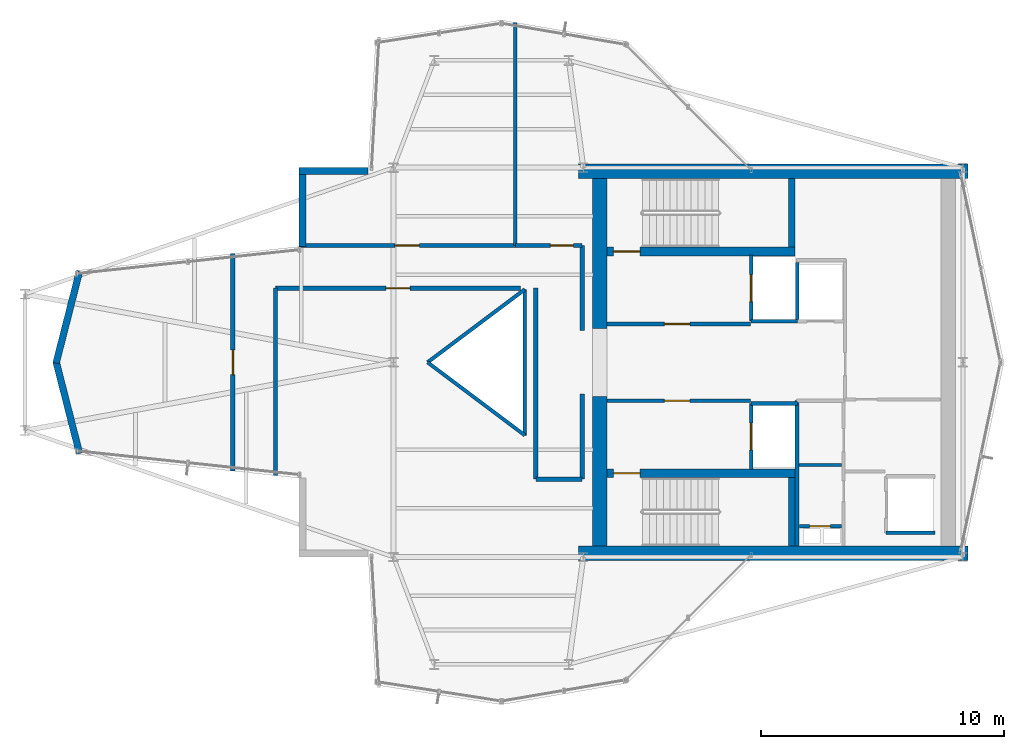
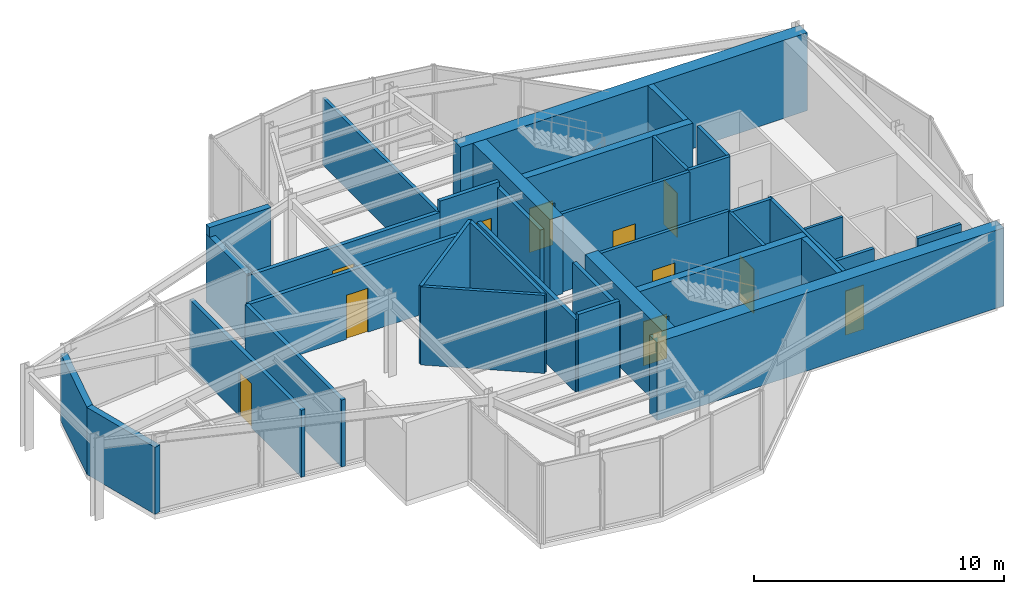
# One storey, part 11 of 13: 36 walls, 11 doors, 11 openings.
"""IFC4 building model written with IfcOpenShell, lengths in metres."""

from ifc_helpers import new_model, si_unit, direction, frame, frame_2d, origin, place, context, subcontext, project, spatial, rectangle, extrude, material, layer, layer_set, type_object, element, fill, save


model = new_model("IFC4")

# Units and contexts
model_context = context("Model", 3, precision=1e-05, world=origin(), true_north=direction((0.0, 1.0)))
body_context = subcontext(model_context, "Body", "Model", "MODEL_VIEW")
ifc_project = project(units=[si_unit("LENGTHUNIT", "METRE"), si_unit("AREAUNIT", "SQUARE_METRE"), si_unit("VOLUMEUNIT", "CUBIC_METRE"), si_unit("PLANEANGLEUNIT", "RADIAN"), si_unit("MASSUNIT", "GRAM", prefix="KILO")], contexts=[model_context])

# Site, building, storey
site_placement = place(None, origin())
site = spatial("IfcSite", under=ifc_project, at=site_placement, CompositionType="ELEMENT")
building_placement = place(site_placement, origin())
building = spatial("IfcBuilding", under=site, at=building_placement, Name="Veymaron Broadcast Tower", CompositionType="ELEMENT")
storey_placement = place(building_placement, frame((0.0, 0.0, 303.300048828125)))
storey = spatial("IfcBuildingStorey", under=building, at=storey_placement, Name="L71", CompositionType="ELEMENT", Elevation=303.300048828125)

# Walls
ifc_material_1 = material(Name="Precast concrete C40/50", Category="concrete")
ifc_layer_1 = layer(ifc_material_1, 0.280029296875)
ifc_layer_set_1 = layer_set([ifc_layer_1], Name="Precast concrete C40/50")
wall_type_1 = type_object("IfcWallType", Name="WALL-EXT-280", PredefinedType="STANDARD", material=ifc_layer_set_1)
wall_1_placement = place(storey_placement, frame((30.159912109375, 31.860107421875, 0.0), z_axis=(0.0, 0.0, 1.0), x_axis=(-1.0, 0.0, 0.0)))
element("IfcWall", 1, at=wall_1_placement, inside=storey, type_object=wall_type_1, Name="L71 notched corner facade pier 9-1", PredefinedType="STANDARD", context=body_context, shape_type="SweptSolid", body=[
    extrude(rectangle(XDim=2.84619140625, YDim=0.280029296875, at=frame_2d((1.423095703125, 0.0))), origin(), (0.0, 0.0, 1.0), 3.81005859375),
])
wall_2_placement = place(storey_placement, frame((27.45361328125, 32.0, 0.0), z_axis=(0.0, 0.0, 1.0), x_axis=(0.0, -1.0, 0.0)))
element("IfcWall", 2, at=wall_2_placement, inside=storey, type_object=wall_type_1, Name="L71 notched corner facade pier 10-1", PredefinedType="STANDARD", context=body_context, shape_type="SweptSolid", body=[
    extrude(rectangle(XDim=3.239990234375, YDim=0.280029296875, at=frame_2d((1.6201171875, 0.0))), origin(), (0.0, 0.0, 1.0), 3.3388671875),
])
for number, where, z_axis, x_axis, name in (
    (3, (18.295654296875, 27.74560546875, 0.0), (0.0, 0.0, 1.0), (-0.247303248327, -0.968938131857, 0.0), "L71 notched corner facade pier 12-1"),
    (4, (17.330810546875, 24.03466796875, 0.0), (0.0, 0.0, 1.0), (0.247303248327, -0.968938131857, 0.0), "L71 notched corner facade pier 13-1"),
):
    element("IfcWall", number, at=place(storey_placement, frame(where, z_axis=z_axis, x_axis=x_axis)), inside=storey, type_object=wall_type_1, Name=name, PredefinedType="STANDARD", context=body_context, shape_type="SweptSolid", body=[
        extrude(rectangle(XDim=3.9013671875, YDim=0.280029296875, at=frame_2d((1.95068359375, 0.0))), origin(), (0.0, 0.0, 1.0), 3.27001953125),
    ])

# Wall, opening, door
ifc_material_2 = material(Name="Gypsum fireboard and steel stud framing", Category="steel")
ifc_layer_2 = layer(ifc_material_2, 0.14990234375)
ifc_layer_set_2 = layer_set([ifc_layer_2], Name="Gypsum fireboard and steel stud framing")
wall_type_2 = type_object("IfcWallType", Name="WALL-FIRE-150", PredefinedType="PARTITIONING", material=ifc_layer_set_2)
wall_3_placement = place(storey_placement, frame((39.97998046875, 25.574951171875, 0.0), z_axis=(0.0, 0.0, 1.0), x_axis=(1.0, 0.0, 0.0)))
wall_3 = element("IfcWall", 5, at=wall_3_placement, inside=storey, type_object=wall_type_2, Name="L71 partition IW-L71-FFLN-S", PredefinedType="PARTITIONING", context=body_context, shape_type="SweptSolid", body=[
    extrude(rectangle(XDim=5.89990234375, YDim=0.14990234375, at=frame_2d((2.949951171875, 0.0))), origin(), (0.0, 0.0, 1.0), 3.81005859375),
])
opening_1_placement = place(wall_3_placement, frame((2.35009765625, 0.0, 0.0)))
opening_1 = element("IfcOpeningElement", 6, at=opening_1_placement, cuts=wall_3, Name="Opening ID-FL1", PredefinedType="OPENING", context=body_context, shape_type="SweptSolid", body=[
    extrude(rectangle(XDim=1.050048828125, YDim=2.14990234375, at=frame_2d((0.52490234375, 1.074951171875))), frame((0.0, 0.0849609375, 0.0), z_axis=(0.0, -1.0, 0.0), x_axis=(1.0, 0.0, 0.0)), (0.0, 0.0, 1.0), 0.169921875),
])
ifc_material_3 = material(Name="Fire-rated painted hollow steel ASTM A653", Category="steel")
door_type_1 = type_object("IfcDoorType", Name="DOOR-FIRE-1050", OperationType="NOTDEFINED", PredefinedType="DOOR", material=ifc_material_3)
door_1_placement = place(opening_1_placement, origin())
door_1 = element("IfcDoor", 7, at=door_1_placement, inside=storey, type_object=door_type_1, Name="L71 door DR-L71-FFLN", OperationType="SINGLE_SWING_LEFT", OverallHeight=2.14990234375, OverallWidth=1.050048828125, PredefinedType="DOOR", context=body_context, shape_type="SweptSolid", body=[
    extrude(rectangle(XDim=1.050048828125, YDim=2.14990234375, at=frame_2d((0.52490234375, 1.074951171875))), frame((0.0, 0.02490234375, 0.0), z_axis=(0.0, -1.0, 0.0), x_axis=(1.0, 0.0, 0.0)), (0.0, 0.0, 1.0), 0.050048828125),
])
fill(opening_1, door_1)

wall_4_placement = place(storey_placement, frame((39.97998046875, 22.425048828125, 0.0), z_axis=(0.0, 0.0, 1.0), x_axis=(1.0, 0.0, 0.0)))
wall_4 = element("IfcWall", 8, at=wall_4_placement, inside=storey, type_object=wall_type_2, Name="L71 partition IW-L71-FFLS-N", PredefinedType="PARTITIONING", context=body_context, shape_type="SweptSolid", body=[
    extrude(rectangle(XDim=5.89990234375, YDim=0.14990234375, at=frame_2d((2.949951171875, 0.0))), origin(), (0.0, 0.0, 1.0), 3.81005859375),
])
opening_2_placement = place(wall_4_placement, frame((2.35009765625, 0.0, 0.0)))
opening_2 = element("IfcOpeningElement", 9, at=opening_2_placement, cuts=wall_4, Name="Opening ID-FL1", PredefinedType="OPENING", context=body_context, shape_type="SweptSolid", body=[
    extrude(rectangle(XDim=1.050048828125, YDim=2.14990234375, at=frame_2d((0.52490234375, 1.074951171875))), frame((0.0, 0.0849609375, 0.0), z_axis=(0.0, -1.0, 0.0), x_axis=(1.0, 0.0, 0.0)), (0.0, 0.0, 1.0), 0.169921875),
])
door_2_placement = place(opening_2_placement, frame((1.050048828125, 0.0, 0.0), z_axis=(0.0, 0.0, 1.0), x_axis=(-1.0, 0.0, 0.0)))
door_2 = element("IfcDoor", 10, at=door_2_placement, inside=storey, type_object=door_type_1, Name="L71 door DR-L71-FFLS", OperationType="SINGLE_SWING_RIGHT", OverallHeight=2.14990234375, OverallWidth=1.050048828125, PredefinedType="DOOR", context=body_context, shape_type="SweptSolid", body=[
    extrude(rectangle(XDim=1.050048828125, YDim=2.14990234375, at=frame_2d((0.52490234375, 1.074951171875))), frame((0.0, 0.02490234375, 0.0), z_axis=(0.0, -1.0, 0.0), x_axis=(1.0, 0.0, 0.0)), (0.0, 0.0, 1.0), 0.050048828125),
])
fill(opening_2, door_2)

wall_5_placement = place(storey_placement, frame((45.89501953125, 25.68994140625, 0.0), z_axis=(0.0, 0.0, 1.0), x_axis=(0.0, 1.0, 0.0)))
wall_5 = element("IfcWall", 11, at=wall_5_placement, inside=storey, type_object=wall_type_2, Name="L71 partition IW-L71-SHW-FFL-1", PredefinedType="PARTITIONING", context=body_context, shape_type="SweptSolid", body=[
    extrude(rectangle(XDim=2.719970703125, YDim=0.14990234375, at=frame_2d((1.35986328125, 0.0))), origin(), (0.0, 0.0, 1.0), 3.81005859375),
])
opening_3_placement = place(wall_5_placement, frame((0.81005859375, 0.0, 0.0)))
opening_3 = element("IfcOpeningElement", 12, at=opening_3_placement, cuts=wall_5, Name="Opening LD", PredefinedType="OPENING", context=body_context, shape_type="SweptSolid", body=[
    extrude(rectangle(XDim=1.10009765625, YDim=2.14990234375, at=frame_2d((0.550048828125, 1.074951171875))), frame((0.0, 0.0849609375, 0.0), z_axis=(0.0, -1.0, 0.0), x_axis=(1.0, 0.0, 0.0)), (0.0, 0.0, 1.0), 0.169921875),
])
ifc_material_4 = material(Name="Brushed stainless steel AISI 304", Category="steel")
door_type_2 = type_object("IfcDoorType", Name="DOOR-LIFT-1100", OperationType="DOUBLE_DOOR_SLIDING", PredefinedType="DOOR", material=ifc_material_4)
door_3_placement = place(opening_3_placement, frame((1.10009765625, 0.0, 0.0), z_axis=(0.0, 0.0, 1.0), x_axis=(-1.0, 0.0, 0.0)))
door_3 = element("IfcDoor", 13, at=door_3_placement, inside=storey, type_object=door_type_2, Name="L71 door LD-L71-FFL-1", OperationType="DOUBLE_DOOR_SLIDING", OverallHeight=2.14990234375, OverallWidth=1.10009765625, PredefinedType="DOOR", context=body_context, shape_type="SweptSolid", body=[
    extrude(rectangle(XDim=1.10009765625, YDim=2.14990234375, at=frame_2d((0.550048828125, 1.074951171875))), frame((0.0, 0.02490234375, 0.0), z_axis=(0.0, -1.0, 0.0), x_axis=(1.0, 0.0, 0.0)), (0.0, 0.0, 1.0), 0.050048828125),
])
fill(opening_3, door_3)

# Wall
wall_6_placement = place(storey_placement, frame((45.89501953125, 25.68994140625, 0.0), z_axis=(0.0, 0.0, 1.0), x_axis=(1.0, 0.0, 0.0)))
element("IfcWall", 14, at=wall_6_placement, inside=storey, type_object=wall_type_2, Name="L71 partition IW-L71-SHS-FFL-1", PredefinedType="PARTITIONING", context=body_context, shape_type="SweptSolid", body=[
    extrude(rectangle(XDim=1.9150390625, YDim=0.14990234375, at=frame_2d((0.95751953125, 0.0))), origin(), (0.0, 0.0, 1.0), 3.81005859375),
])

# Wall, opening, door
wall_7_placement = place(storey_placement, frame((45.89501953125, 19.590087890625, 0.0), z_axis=(0.0, 0.0, 1.0), x_axis=(0.0, 1.0, 0.0)))
wall_7 = element("IfcWall", 15, at=wall_7_placement, inside=storey, type_object=wall_type_2, Name="L71 partition IW-L71-SHW-FFL-2", PredefinedType="PARTITIONING", context=body_context, shape_type="SweptSolid", body=[
    extrude(rectangle(XDim=2.719970703125, YDim=0.14990234375, at=frame_2d((1.35986328125, 0.0))), origin(), (0.0, 0.0, 1.0), 3.81005859375),
])
opening_4_placement = place(wall_7_placement, frame((0.81005859375, 0.0, 0.0)))
opening_4 = element("IfcOpeningElement", 16, at=opening_4_placement, cuts=wall_7, Name="Opening LD", PredefinedType="OPENING", context=body_context, shape_type="SweptSolid", body=[
    extrude(rectangle(XDim=1.10009765625, YDim=2.14990234375, at=frame_2d((0.550048828125, 1.074951171875))), frame((0.0, 0.0849609375, 0.0), z_axis=(0.0, -1.0, 0.0), x_axis=(1.0, 0.0, 0.0)), (0.0, 0.0, 1.0), 0.169921875),
])
door_4_placement = place(opening_4_placement, frame((1.10009765625, 0.0, 0.0), z_axis=(0.0, 0.0, 1.0), x_axis=(-1.0, 0.0, 0.0)))
door_4 = element("IfcDoor", 17, at=door_4_placement, inside=storey, type_object=door_type_2, Name="L71 door LD-L71-FFL-2", OperationType="DOUBLE_DOOR_SLIDING", OverallHeight=2.14990234375, OverallWidth=1.10009765625, PredefinedType="DOOR", context=body_context, shape_type="SweptSolid", body=[
    extrude(rectangle(XDim=1.10009765625, YDim=2.14990234375, at=frame_2d((0.550048828125, 1.074951171875))), frame((0.0, 0.02490234375, 0.0), z_axis=(0.0, -1.0, 0.0), x_axis=(1.0, 0.0, 0.0)), (0.0, 0.0, 1.0), 0.050048828125),
])
fill(opening_4, door_4)

# Walls
wall_8_placement = place(storey_placement, frame((45.89501953125, 22.31005859375, 0.0), z_axis=(0.0, 0.0, 1.0), x_axis=(1.0, 0.0, 0.0)))
element("IfcWall", 18, at=wall_8_placement, inside=storey, type_object=wall_type_2, Name="L71 partition IW-L71-SHN-FFL-2", PredefinedType="PARTITIONING", context=body_context, shape_type="SweptSolid", body=[
    extrude(rectangle(XDim=1.9150390625, YDim=0.14990234375, at=frame_2d((0.95751953125, 0.0))), origin(), (0.0, 0.0, 1.0), 3.81005859375),
])
wall_9_placement = place(storey_placement, frame((47.7900390625, 25.695068359375, 0.0), z_axis=(0.0, 0.0, 1.0), x_axis=(0.0, 1.0, 0.0)))
element("IfcWall", 19, at=wall_9_placement, inside=storey, type_object=wall_type_2, Name="L71 partition IW-L71-SHW-SL-1", PredefinedType="PARTITIONING", context=body_context, shape_type="SweptSolid", body=[
    extrude(rectangle(XDim=2.4150390625, YDim=0.14990234375, at=frame_2d((1.20751953125, 0.0))), origin(), (0.0, 0.0, 1.0), 3.81005859375),
])
wall_10_placement = place(storey_placement, frame((51.445068359375, 16.989990234375, 0.0), z_axis=(0.0, 0.0, 1.0), x_axis=(1.0, 0.0, 0.0)))
element("IfcWall", 20, at=wall_10_placement, inside=storey, type_object=wall_type_2, Name="L71 partition IW-L71-SHS-PH1", PredefinedType="PARTITIONING", context=body_context, shape_type="SweptSolid", body=[
    extrude(rectangle(XDim=2.014892578125, YDim=0.14990234375, at=frame_2d((1.00732421875, 0.0))), origin(), (0.0, 0.0, 1.0), 3.81005859375),
])

# Wall, opening, door
wall_11_placement = place(storey_placement, frame((47.8798828125, 17.260009765625, 0.0), z_axis=(0.0, 0.0, 1.0), x_axis=(1.0, 0.0, 0.0)))
wall_11 = element("IfcWall", 21, at=wall_11_placement, inside=storey, type_object=wall_type_2, Name="L71 partition IW-L71-RIS-N", PredefinedType="PARTITIONING", context=body_context, shape_type="SweptSolid", body=[
    extrude(rectangle(XDim=1.72021484375, YDim=0.14990234375, at=frame_2d((0.860107421875, 0.0))), origin(), (0.0, 0.0, 1.0), 3.81005859375),
])
opening_5_placement = place(wall_11_placement, frame((0.419921875, 0.0, 0.0)))
opening_5 = element("IfcOpeningElement", 22, at=opening_5_placement, cuts=wall_11, Name="Opening ID-RS1", PredefinedType="OPENING", context=body_context, shape_type="SweptSolid", body=[
    extrude(rectangle(XDim=0.85009765625, YDim=2.14990234375, at=frame_2d((0.425048828125, 1.074951171875))), frame((0.0, 0.0849609375, 0.0), z_axis=(0.0, -1.0, 0.0), x_axis=(1.0, 0.0, 0.0)), (0.0, 0.0, 1.0), 0.169921875),
])
ifc_material_5 = material(Name="Fire-rated powder-coated steel riser leaf", Category="steel")
door_type_3 = type_object("IfcDoorType", Name="DOOR-RIS-850", OperationType="NOTDEFINED", PredefinedType="TRAPDOOR", material=ifc_material_5)
door_5_placement = place(opening_5_placement, origin())
door_5 = element("IfcDoor", 23, at=door_5_placement, inside=storey, type_object=door_type_3, Name="L71 door DR-L71-RIS", OperationType="SINGLE_SWING_LEFT", OverallHeight=2.14990234375, OverallWidth=0.85009765625, PredefinedType="TRAPDOOR", context=body_context, shape_type="SweptSolid", body=[
    extrude(rectangle(XDim=0.85009765625, YDim=2.14990234375, at=frame_2d((0.425048828125, 1.074951171875))), frame((0.0, 0.02490234375, 0.0), z_axis=(0.0, -1.0, 0.0), x_axis=(1.0, 0.0, 0.0)), (0.0, 0.0, 1.0), 0.050048828125),
])
fill(opening_5, door_5)

# Wall
wall_12_placement = place(storey_placement, frame((47.780029296875, 16.449951171875, 0.0), z_axis=(0.0, 0.0, 1.0), x_axis=(0.0, 1.0, 0.0)))
element("IfcWall", 24, at=wall_12_placement, inside=storey, type_object=wall_type_2, Name="L71 partition IW-L71-SM-W", PredefinedType="PARTITIONING", context=body_context, shape_type="SweptSolid", body=[
    extrude(rectangle(XDim=5.97509765625, YDim=0.14990234375, at=frame_2d((2.987548828125, 0.0))), origin(), (0.0, 0.0, 1.0), 3.81005859375),
])

# Wall, opening, door
ifc_material_6 = material(Name="Concrete C40/50", Category="concrete")
ifc_layer_3 = layer(ifc_material_6, 0.179931640625)
ifc_layer_set_3 = layer_set([ifc_layer_3], Name="Concrete C40/50")
wall_type_3 = type_object("IfcWallType", Name="WALL-FIRE-180", PredefinedType="SOLIDWALL", material=ifc_layer_set_3)
wall_13_placement = place(storey_placement, frame((26.35009765625, 27.050048828125, 0.0), z_axis=(0.0, 0.0, 1.0), x_axis=(1.0, 0.0, 0.0)))
wall_13 = element("IfcWall", 25, at=wall_13_placement, inside=storey, type_object=wall_type_3, Name="L71 partition IW-L71-P01", PredefinedType="SOLIDWALL", context=body_context, shape_type="SweptSolid", body=[
    extrude(rectangle(XDim=10.066650390625, YDim=0.179931640625, at=frame_2d((5.033203125, 0.0))), origin(), (0.0, 0.0, 1.0), 3.27001953125),
])
opening_6_placement = place(wall_13_placement, frame((4.533203125, 0.0, 0.0)))
opening_6 = element("IfcOpeningElement", 26, at=opening_6_placement, cuts=wall_13, Name="Opening ID-RM3", PredefinedType="OPENING", context=body_context, shape_type="SweptSolid", body=[
    extrude(rectangle(XDim=1.0, YDim=2.14990234375, at=frame_2d((0.5, 1.074951171875))), frame((0.0, 0.10009765625, 0.0), z_axis=(0.0, -1.0, 0.0), x_axis=(1.0, 0.0, 0.0)), (0.0, 0.0, 1.0), 0.199951171875),
])
ifc_material_7 = material(Name="Acoustic solid-core European oak veneer timber", Category="wood")
door_type_4 = type_object("IfcDoorType", Name="DOOR-INT-1000", OperationType="NOTDEFINED", PredefinedType="DOOR", material=ifc_material_7)
door_6_placement = place(opening_6_placement, frame((1.0, 0.0, 0.0), z_axis=(0.0, 0.0, 1.0), x_axis=(-1.0, 0.0, 0.0)))
door_6 = element("IfcDoor", 27, at=door_6_placement, inside=storey, type_object=door_type_4, Name="L71 door DR-L71-P01", OperationType="SINGLE_SWING_RIGHT", OverallHeight=2.14990234375, OverallWidth=1.0, PredefinedType="DOOR", context=body_context, shape_type="SweptSolid", body=[
    extrude(rectangle(XDim=1.0, YDim=2.14990234375, at=frame_2d((0.5, 1.074951171875))), frame((0.0, 0.02490234375, 0.0), z_axis=(0.0, -1.0, 0.0), x_axis=(1.0, 0.0, 0.0)), (0.0, 0.0, 1.0), 0.050048828125),
])
fill(opening_6, door_6)

wall_14_placement = place(storey_placement, frame((24.60009765625, 19.530517578125, 0.0), z_axis=(0.0, 0.0, 1.0), x_axis=(0.0, 1.0, 0.0)))
wall_14 = element("IfcWall", 28, at=wall_14_placement, inside=storey, type_object=wall_type_3, Name="L71 partition IW-L71-P06", PredefinedType="SOLIDWALL", context=body_context, shape_type="SweptSolid", body=[
    extrude(rectangle(XDim=8.93896484375, YDim=0.179931640625, at=frame_2d((4.469482421875, 0.0))), origin(), (0.0, 0.0, 1.0), 3.27001953125),
])
opening_7_placement = place(wall_14_placement, frame((3.969482421875, 0.0, 0.0)))
opening_7 = element("IfcOpeningElement", 29, at=opening_7_placement, cuts=wall_14, Name="Opening ID-RM3", PredefinedType="OPENING", context=body_context, shape_type="SweptSolid", body=[
    extrude(rectangle(XDim=1.0, YDim=2.14990234375, at=frame_2d((0.5, 1.074951171875))), frame((0.0, 0.10009765625, 0.0), z_axis=(0.0, -1.0, 0.0), x_axis=(1.0, 0.0, 0.0)), (0.0, 0.0, 1.0), 0.199951171875),
])
door_7_placement = place(opening_7_placement, origin())
door_7 = element("IfcDoor", 30, at=door_7_placement, inside=storey, type_object=door_type_4, Name="L71 door DR-L71-P06", OperationType="SINGLE_SWING_LEFT", OverallHeight=2.14990234375, OverallWidth=1.0, PredefinedType="DOOR", context=body_context, shape_type="SweptSolid", body=[
    extrude(rectangle(XDim=1.0, YDim=2.14990234375, at=frame_2d((0.5, 1.074951171875))), frame((0.0, 0.02490234375, 0.0), z_axis=(0.0, -1.0, 0.0), x_axis=(1.0, 0.0, 0.0)), (0.0, 0.0, 1.0), 0.050048828125),
])
fill(opening_7, door_7)

wall_15_placement = place(storey_placement, frame((27.313720703125, 28.800048828125, 0.0), z_axis=(0.0, 0.0, 1.0), x_axis=(1.0, 0.0, 0.0)))
wall_15 = element("IfcWall", 31, at=wall_15_placement, inside=storey, type_object=wall_type_3, Name="L71 partition IW-L71-P07", PredefinedType="SOLIDWALL", context=body_context, shape_type="SweptSolid", body=[
    extrude(rectangle(XDim=8.892333984375, YDim=0.179931640625, at=frame_2d((4.4462890625, 0.0))), origin(), (0.0, 0.0, 1.0), 3.27001953125),
])
opening_8_placement = place(wall_15_placement, frame((3.9462890625, 0.0, 0.0)))
opening_8 = element("IfcOpeningElement", 32, at=opening_8_placement, cuts=wall_15, Name="Opening ID-RM3", PredefinedType="OPENING", context=body_context, shape_type="SweptSolid", body=[
    extrude(rectangle(XDim=1.0, YDim=2.14990234375, at=frame_2d((0.5, 1.074951171875))), frame((0.0, 0.10009765625, 0.0), z_axis=(0.0, -1.0, 0.0), x_axis=(1.0, 0.0, 0.0)), (0.0, 0.0, 1.0), 0.199951171875),
])
door_8_placement = place(opening_8_placement, origin())
door_8 = element("IfcDoor", 33, at=door_8_placement, inside=storey, type_object=door_type_4, Name="L71 door DR-L71-P07", OperationType="SINGLE_SWING_RIGHT", OverallHeight=2.14990234375, OverallWidth=1.0, PredefinedType="DOOR", context=body_context, shape_type="SweptSolid", body=[
    extrude(rectangle(XDim=1.0, YDim=2.14990234375, at=frame_2d((0.5, 1.074951171875))), frame((0.0, 0.02490234375, 0.0), z_axis=(0.0, -1.0, 0.0), x_axis=(1.0, 0.0, 0.0)), (0.0, 0.0, 1.0), 0.050048828125),
])
fill(opening_8, door_8)

wall_16_placement = place(storey_placement, frame((36.2060546875, 28.800048828125, 0.0), z_axis=(0.0, 0.0, 1.0), x_axis=(1.0, 0.0, 0.0)))
wall_16 = element("IfcWall", 34, at=wall_16_placement, inside=storey, type_object=wall_type_3, Name="L71 partition IW-L71-P09", PredefinedType="SOLIDWALL", context=body_context, shape_type="SweptSolid", body=[
    extrude(rectangle(XDim=2.743896484375, YDim=0.179931640625, at=frame_2d((1.3720703125, 0.0))), origin(), (0.0, 0.0, 1.0), 3.81005859375),
])
opening_9_placement = place(wall_16_placement, frame((1.43701171875, 0.0, 0.0)))
opening_9 = element("IfcOpeningElement", 35, at=opening_9_placement, cuts=wall_16, Name="Opening ID-RM1", PredefinedType="OPENING", context=body_context, shape_type="SweptSolid", body=[
    extrude(rectangle(XDim=0.949951171875, YDim=2.14990234375, at=frame_2d((0.47509765625, 1.074951171875))), frame((0.0, 0.10009765625, 0.0), z_axis=(0.0, -1.0, 0.0), x_axis=(1.0, 0.0, 0.0)), (0.0, 0.0, 1.0), 0.199951171875),
])
door_type_5 = type_object("IfcDoorType", Name="DOOR-INT-950", OperationType="NOTDEFINED", PredefinedType="DOOR", material=ifc_material_7)
door_9_placement = place(opening_9_placement, origin())
door_9 = element("IfcDoor", 36, at=door_9_placement, inside=storey, type_object=door_type_5, Name="L71 door DR-L71-P09", OperationType="SINGLE_SWING_RIGHT", OverallHeight=2.14990234375, OverallWidth=0.949951171875, PredefinedType="DOOR", context=body_context, shape_type="SweptSolid", body=[
    extrude(rectangle(XDim=0.949951171875, YDim=2.14990234375, at=frame_2d((0.47509765625, 1.074951171875))), frame((0.0, 0.02490234375, 0.0), z_axis=(0.0, -1.0, 0.0), x_axis=(1.0, 0.0, 0.0)), (0.0, 0.0, 1.0), 0.050048828125),
])
fill(opening_9, door_9)

# Walls
wall_17_placement = place(storey_placement, frame((37.050048828125, 19.199951171875, 0.0), z_axis=(0.0, 0.0, 1.0), x_axis=(0.0, 1.0, 0.0)))
element("IfcWall", 37, at=wall_17_placement, inside=storey, type_object=wall_type_3, Name="L71 partition IW-L71-P02", PredefinedType="SOLIDWALL", context=body_context, shape_type="SweptSolid", body=[
    extrude(rectangle(XDim=7.85009765625, YDim=0.179931640625, at=frame_2d((3.925048828125, 0.0))), origin(), (0.0, 0.0, 1.0), 3.5400390625),
])
wall_18_placement = place(storey_placement, frame((26.35009765625, 19.34326171875, 0.0), z_axis=(0.0, 0.0, 1.0), x_axis=(0.0, 1.0, 0.0)))
element("IfcWall", 38, at=wall_18_placement, inside=storey, type_object=wall_type_3, Name="L71 partition IW-L71-P03", PredefinedType="SOLIDWALL", context=body_context, shape_type="SweptSolid", body=[
    extrude(rectangle(XDim=7.706787109375, YDim=0.179931640625, at=frame_2d((3.853515625, 0.0))), origin(), (0.0, 0.0, 1.0), 3.27001953125),
])
wall_19_placement = place(storey_placement, frame((38.949951171875, 19.199951171875, 0.0), z_axis=(0.0, 0.0, 1.0), x_axis=(0.0, 1.0, 0.0)))
element("IfcWall", 39, at=wall_19_placement, inside=storey, type_object=wall_type_3, Name="L71 partition IW-L71-P04", PredefinedType="SOLIDWALL", context=body_context, shape_type="SweptSolid", body=[
    extrude(rectangle(XDim=3.5, YDim=0.179931640625, at=frame_2d((1.75, 0.0))), origin(), (0.0, 0.0, 1.0), 3.5400390625),
])
wall_20_placement = place(storey_placement, frame((37.050048828125, 19.199951171875, 0.0), z_axis=(0.0, 0.0, 1.0), x_axis=(1.0, 0.0, 0.0)))
element("IfcWall", 40, at=wall_20_placement, inside=storey, type_object=wall_type_3, Name="L71 partition IW-L71-P05", PredefinedType="SOLIDWALL", context=body_context, shape_type="SweptSolid", body=[
    extrude(rectangle(XDim=1.89990234375, YDim=0.179931640625, at=frame_2d((0.949951171875, 0.0))), origin(), (0.0, 0.0, 1.0), 3.81005859375),
])
wall_21_placement = place(storey_placement, frame((38.949951171875, 25.300048828125, 0.0), z_axis=(0.0, 0.0, 1.0), x_axis=(0.0, 1.0, 0.0)))
element("IfcWall", 41, at=wall_21_placement, inside=storey, type_object=wall_type_3, Name="L71 partition IW-L71-P08", PredefinedType="SOLIDWALL", context=body_context, shape_type="SweptSolid", body=[
    extrude(rectangle(XDim=3.5, YDim=0.179931640625, at=frame_2d((1.75, 0.0))), origin(), (0.0, 0.0, 1.0), 3.5400390625),
])
ifc_material_8 = material(Name="Fire-rated laminated glass in aluminium frame", Category="aluminium")
ifc_layer_4 = layer(ifc_material_8, 0.14990234375)
ifc_layer_set_4 = layer_set([ifc_layer_4], Name="Fire-rated laminated glass in aluminium frame")
wall_type_4 = type_object("IfcWallType", Name="WALL-GLZ-150", PredefinedType="MOVABLE", material=ifc_layer_set_4)
wall_22_placement = place(storey_placement, frame((36.2060546875, 28.800048828125, 0.0), z_axis=(0.0, 0.0, 1.0), x_axis=(0.0, 1.0, 0.0)))
element("IfcWall", 42, at=wall_22_placement, inside=storey, type_object=wall_type_4, Name="L71 partition IW-L71-P10", PredefinedType="MOVABLE", context=body_context, shape_type="SweptSolid", body=[
    extrude(rectangle(XDim=9.171875, YDim=0.14990234375, at=frame_2d((4.5859375, 0.0))), origin(), (0.0, 0.0, 1.0), 3.27001953125),
])
wall_23_placement = place(storey_placement, frame((32.60009765625, 24.0, 0.0), z_axis=(0.0, 0.0, 1.0), x_axis=(0.8, -0.6, 0.0)))
element("IfcWall", 43, at=wall_23_placement, inside=storey, type_object=wall_type_4, Name="L71 partition IW-L71-ATR1", PredefinedType="MOVABLE", context=body_context, shape_type="SweptSolid", body=[
    extrude(rectangle(XDim=5.0, YDim=0.14990234375, at=frame_2d((2.5, 0.0))), origin(), (0.0, 0.0, 1.0), 3.81005859375),
])
wall_24_placement = place(storey_placement, frame((36.60009765625, 21.0, 0.0), z_axis=(0.0, 0.0, 1.0), x_axis=(0.0, 1.0, 0.0)))
element("IfcWall", 44, at=wall_24_placement, inside=storey, type_object=wall_type_4, Name="L71 partition IW-L71-ATR2", PredefinedType="MOVABLE", context=body_context, shape_type="SweptSolid", body=[
    extrude(rectangle(XDim=6.0, YDim=0.14990234375, at=frame_2d((3.0, 0.0))), origin(), (0.0, 0.0, 1.0), 3.81005859375),
])
wall_25_placement = place(storey_placement, frame((36.60009765625, 27.0, 0.0), z_axis=(0.0, 0.0, 1.0), x_axis=(-0.8, -0.6, 0.0)))
element("IfcWall", 45, at=wall_25_placement, inside=storey, type_object=wall_type_4, Name="L71 partition IW-L71-ATR3", PredefinedType="MOVABLE", context=body_context, shape_type="SweptSolid", body=[
    extrude(rectangle(XDim=5.0, YDim=0.14990234375, at=frame_2d((2.5, 0.0))), origin(), (0.0, 0.0, 1.0), 3.81005859375),
])
ifc_material_9 = material(Name="Acoustic gypsum board and galvanized stud", Category="gypsum")
ifc_layer_5 = layer(ifc_material_9, 0.1201171875)
ifc_layer_set_5 = layer_set([ifc_layer_5], Name="Acoustic gypsum board and galvanized stud")
wall_type_5 = type_object("IfcWallType", Name="WALL-PART-120", PredefinedType="PARTITIONING", material=ifc_layer_set_5)
wall_26_placement = place(storey_placement, frame((47.860107421875, 19.780029296875, 0.0), z_axis=(0.0, 0.0, 1.0), x_axis=(1.0, 0.0, 0.0)))
element("IfcWall", 46, at=wall_26_placement, inside=storey, type_object=wall_type_5, Name="L71 partition IW-L71-SM-DIV", PredefinedType="PARTITIONING", context=body_context, shape_type="SweptSolid", body=[
    extrude(rectangle(XDim=1.760009765625, YDim=0.1201171875, at=frame_2d((0.8798828125, 0.0))), origin(), (0.0, 0.0, 1.0), 3.81005859375),
])
ifc_material_10 = material(Name="Concrete C50/60", Category="concrete")
ifc_layer_6 = layer(ifc_material_10, 0.25)
ifc_layer_set_6 = layer_set([ifc_layer_6], Name="Concrete C50/60")
wall_type_6 = type_object("IfcWallType", Name="WALL-SHEAR-250", PredefinedType="SHEAR", material=ifc_layer_set_6)
for number, where, z_axis, x_axis, name in (
    (47, (47.56494140625, 28.72998046875, 0.0), (0.0, 0.0, 1.0), (0.0, 1.0, 0.0), "L71 Core Wall north stair east shear"),
    (48, (47.56494140625, 16.449951171875, 0.0), (0.0, 0.0, 1.0), (0.0, 1.0, 0.0), "L71 Core Wall south stair east shear"),
):
    element("IfcWall", number, at=place(storey_placement, frame(where, z_axis=z_axis, x_axis=x_axis)), inside=storey, type_object=wall_type_6, Name=name, PredefinedType="SHEAR", context=body_context, shape_type="SweptSolid", body=[
        extrude(rectangle(XDim=2.820068359375, YDim=0.25, at=frame_2d((1.41015625, 0.0))), origin(), (0.0, 0.0, 1.0), 3.81005859375),
    ])

# Wall, opening, door
ifc_layer_7 = layer(ifc_material_10, 0.35009765625)
ifc_layer_set_7 = layer_set([ifc_layer_7], Name="Concrete C50/60")
wall_type_7 = type_object("IfcWallType", Name="WALL-SHEAR-350", PredefinedType="SHEAR", material=ifc_layer_set_7)
wall_27_placement = place(storey_placement, frame((39.97998046875, 28.554931640625, 0.0), z_axis=(0.0, 0.0, 1.0), x_axis=(1.0, 0.0, 0.0)))
wall_27 = element("IfcWall", 49, at=wall_27_placement, inside=storey, type_object=wall_type_7, Name="L71 Core Wall north stair spine", PredefinedType="SHEAR", context=body_context, shape_type="SweptSolid", body=[
    extrude(rectangle(XDim=7.7099609375, YDim=0.35009765625, at=frame_2d((3.85498046875, 0.0))), origin(), (0.0, 0.0, 1.0), 3.81005859375),
])
opening_10_placement = place(wall_27_placement, frame((0.25, 0.0, 0.0)))
opening_10 = element("IfcOpeningElement", 50, at=opening_10_placement, cuts=wall_27, Name="Opening ID-ST1", PredefinedType="OPENING", context=body_context, shape_type="SweptSolid", body=[
    extrude(rectangle(XDim=1.10009765625, YDim=2.14990234375, at=frame_2d((0.550048828125, 1.074951171875))), frame((0.0, 0.18505859375, 0.0), z_axis=(0.0, -1.0, 0.0), x_axis=(1.0, 0.0, 0.0)), (0.0, 0.0, 1.0), 0.3701171875),
])
door_type_6 = type_object("IfcDoorType", Name="DOOR-STAIR-1100", OperationType="NOTDEFINED", PredefinedType="DOOR", material=ifc_material_3)
door_10_placement = place(opening_10_placement, origin())
door_10 = element("IfcDoor", 51, at=door_10_placement, inside=storey, type_object=door_type_6, Name="L71 exit stair ST1 fire door", OperationType="SINGLE_SWING_RIGHT", OverallHeight=2.14990234375, OverallWidth=1.10009765625, PredefinedType="DOOR", context=body_context, shape_type="SweptSolid", body=[
    extrude(rectangle(XDim=1.10009765625, YDim=2.14990234375, at=frame_2d((0.550048828125, 1.074951171875))), frame((0.0, 0.02490234375, 0.0), z_axis=(0.0, -1.0, 0.0), x_axis=(1.0, 0.0, 0.0)), (0.0, 0.0, 1.0), 0.050048828125),
])
fill(opening_10, door_10)

wall_28_placement = place(storey_placement, frame((39.97998046875, 19.445068359375, 0.0), z_axis=(0.0, 0.0, 1.0), x_axis=(1.0, 0.0, 0.0)))
wall_28 = element("IfcWall", 52, at=wall_28_placement, inside=storey, type_object=wall_type_7, Name="L71 Core Wall south stair spine", PredefinedType="SHEAR", context=body_context, shape_type="SweptSolid", body=[
    extrude(rectangle(XDim=7.7099609375, YDim=0.35009765625, at=frame_2d((3.85498046875, 0.0))), origin(), (0.0, 0.0, 1.0), 3.81005859375),
])
opening_11_placement = place(wall_28_placement, frame((0.25, 0.0, 0.0)))
opening_11 = element("IfcOpeningElement", 53, at=opening_11_placement, cuts=wall_28, Name="Opening ID-ST1", PredefinedType="OPENING", context=body_context, shape_type="SweptSolid", body=[
    extrude(rectangle(XDim=1.10009765625, YDim=2.14990234375, at=frame_2d((0.550048828125, 1.074951171875))), frame((0.0, 0.18505859375, 0.0), z_axis=(0.0, -1.0, 0.0), x_axis=(1.0, 0.0, 0.0)), (0.0, 0.0, 1.0), 0.3701171875),
])
door_11_placement = place(opening_11_placement, frame((1.10009765625, 0.0, 0.0), z_axis=(0.0, 0.0, 1.0), x_axis=(-1.0, 0.0, 0.0)))
door_11 = element("IfcDoor", 54, at=door_11_placement, inside=storey, type_object=door_type_6, Name="L71 exit stair ST2 fire door", OperationType="SINGLE_SWING_LEFT", OverallHeight=2.14990234375, OverallWidth=1.10009765625, PredefinedType="DOOR", context=body_context, shape_type="SweptSolid", body=[
    extrude(rectangle(XDim=1.10009765625, YDim=2.14990234375, at=frame_2d((0.550048828125, 1.074951171875))), frame((0.0, 0.02490234375, 0.0), z_axis=(0.0, -1.0, 0.0), x_axis=(1.0, 0.0, 0.0)), (0.0, 0.0, 1.0), 0.050048828125),
])
fill(opening_11, door_11)

# Walls
ifc_layer_8 = layer(ifc_material_10, 0.60009765625)
ifc_layer_set_8 = layer_set([ifc_layer_8], Name="Concrete C50/60")
wall_type_8 = type_object("IfcWallType", Name="WALL-SHEAR-600", PredefinedType="SHEAR", material=ifc_layer_set_8)
for number, where, z_axis, x_axis, name in (
    (55, (38.800048828125, 31.85009765625, 0.0), (0.0, 0.0, 1.0), (1.0, 0.0, 0.0), "L71 Core Wall north shear"),
    (56, (38.800048828125, 16.14990234375, 0.0), (0.0, 0.0, 1.0), (1.0, 0.0, 0.0), "L71 Core Wall south shear"),
):
    element("IfcWall", number, at=place(storey_placement, frame(where, z_axis=z_axis, x_axis=x_axis)), inside=storey, type_object=wall_type_8, Name=name, PredefinedType="SHEAR", context=body_context, shape_type="SweptSolid", body=[
        extrude(rectangle(XDim=16.0, YDim=0.60009765625, at=frame_2d((8.0, 0.0))), origin(), (0.0, 0.0, 1.0), 3.81005859375),
    ])
for number, where, z_axis, x_axis, name in (
    (57, (39.679931640625, 16.449951171875, 0.0), (0.0, 0.0, 1.0), (0.0, 1.0, 0.0), "L71 Core Wall west-south shear"),
    (58, (39.679931640625, 25.39990234375, 0.0), (0.0, 0.0, 1.0), (0.0, 1.0, 0.0), "L71 Core Wall west-north shear"),
):
    element("IfcWall", number, at=place(storey_placement, frame(where, z_axis=z_axis, x_axis=x_axis)), inside=storey, type_object=wall_type_8, Name=name, PredefinedType="SHEAR", context=body_context, shape_type="SweptSolid", body=[
        extrude(rectangle(XDim=6.150146484375, YDim=0.60009765625, at=frame_2d((3.0751953125, 0.0))), origin(), (0.0, 0.0, 1.0), 3.81005859375),
    ])

save(model, "model.ifc")
